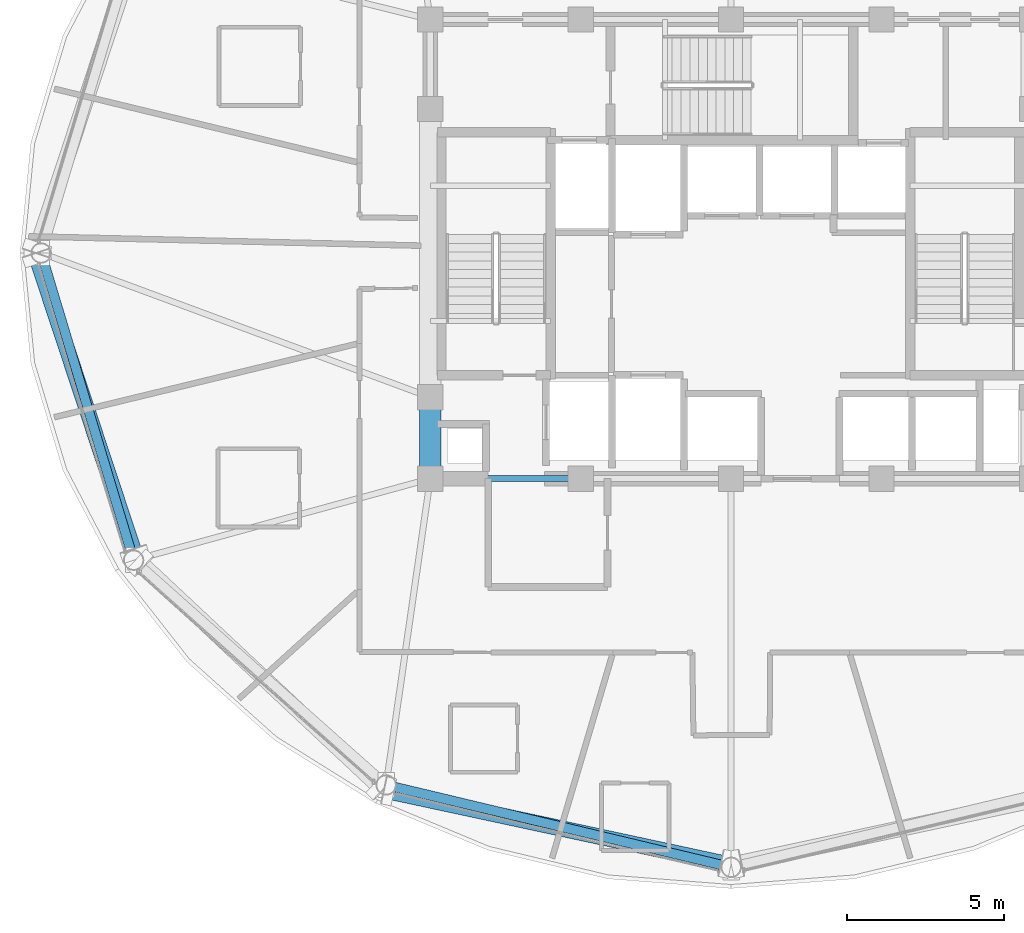
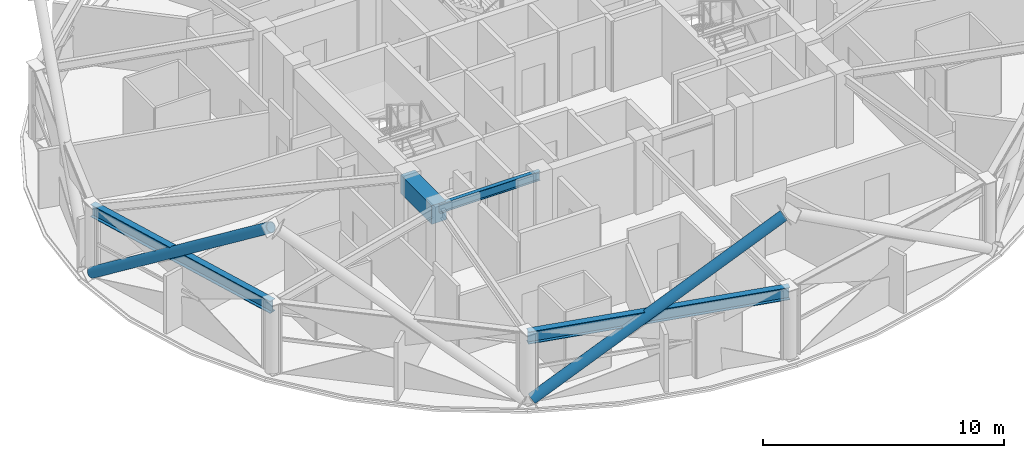
# One storey, part 4 of 29: 4 beams, 2 members.
"""IFC4 building model written with IfcOpenShell, lengths in metres."""

from ifc_helpers import new_model, si_unit, direction, frame, origin, origin_2d, place, context, subcontext, project, spatial, rectangle, hollow_circle, i_section, extrude, material, material_profile, profile_set, type_object, element, save


model = new_model("IFC4")

# Units and contexts
model_context = context("Model", 3, precision=1e-05, world=origin(), true_north=direction((0.0, 1.0)))
body_context = subcontext(model_context, "Body", "Model", "MODEL_VIEW")
ifc_project = project(units=[si_unit("LENGTHUNIT", "METRE"), si_unit("AREAUNIT", "SQUARE_METRE"), si_unit("VOLUMEUNIT", "CUBIC_METRE"), si_unit("PLANEANGLEUNIT", "RADIAN"), si_unit("MASSUNIT", "GRAM", prefix="KILO")], contexts=[model_context])

# Site, building, storey
site_placement = place(None, origin())
site = spatial("IfcSite", under=ifc_project, at=site_placement, CompositionType="ELEMENT")
building_placement = place(site_placement, origin())
building = spatial("IfcBuilding", under=site, at=building_placement, Name="Vantalir Tower", CompositionType="ELEMENT")
storey_placement = place(building_placement, frame((0.0, 0.0, 227.39990234375)))
storey = spatial("IfcBuildingStorey", under=building, at=storey_placement, Name="L57", CompositionType="ELEMENT", Elevation=227.39990234375)

# Beams
ifc_material_1 = material(Name="Concrete C60/75", Category="concrete")
ifc_material_profile_1 = material_profile(ifc_material_1, rectangle(XDim=0.699951171875, YDim=0.949951171875, at=origin_2d()), Name="Concrete C60/75")
ifc_profile_set_1 = profile_set([ifc_material_profile_1], Name="Concrete C60/75")
beam_type_1 = type_object("IfcBeamType", Name="BM-CB-700x950", PredefinedType="USERDEFINED", material=ifc_profile_set_1)
beam_1_placement = place(storey_placement, frame((21.89990234375, 20.39990234375, 3.09521484375), z_axis=(0.0, -1.0, 0.0), x_axis=(1.0, 0.0, 0.0)))
element("IfcBeam", 1, at=beam_1_placement, inside=storey, type_object=beam_type_1, Name="L57 Core Coupling Girder 14", ObjectType="GIRDER", PredefinedType="USERDEFINED", context=body_context, shape_type="SweptSolid", body=[
    extrude(rectangle(XDim=0.699951171875, YDim=0.949951171875, at=origin_2d()), origin(), (0.0, 0.0, 1.0), 2.599853515625),
])
ifc_material_2 = material(Name="Steel S355", Category="steel")
ifc_material_profile_2 = material_profile(ifc_material_2, i_section(OverallWidth=0.19189453125, OverallDepth=0.462890625, WebThickness=0.010498046875, FlangeThickness=0.017578125, at=origin_2d()), Name="Steel S355")
ifc_profile_set_2 = profile_set([ifc_material_profile_2], Name="Steel S355")
beam_type_2 = type_object("IfcBeamType", Name="BM-RB-457x191", PredefinedType="BEAM", material=ifc_profile_set_2)
beam_2_placement = place(storey_placement, frame((21.89990234375, 17.800048828125, 3.338134765625), z_axis=(1.0, 0.0, 0.0), x_axis=(0.0, 1.0, 0.0)))
element("IfcBeam", 2, at=beam_2_placement, inside=storey, type_object=beam_type_2, Name="L57 Core Coupling Girder 01", PredefinedType="BEAM", context=body_context, shape_type="SweptSolid", body=[
    extrude(i_section(OverallWidth=0.19189453125, OverallDepth=0.462890625, WebThickness=0.010498046875, FlangeThickness=0.017578125, at=origin_2d()), origin(), (0.0, 0.0, 1.0), 4.800048828125),
])
ifc_material_3 = material(Name="Steel S460", Category="steel")
ifc_material_profile_3 = material_profile(ifc_material_3, i_section(OverallWidth=0.306884765625, OverallDepth=0.6201171875, WebThickness=0.01416015625, FlangeThickness=0.023681640625, at=origin_2d()), Name="Steel S460")
ifc_profile_set_3 = profile_set([ifc_material_profile_3], Name="Steel S460")
beam_type_3 = type_object("IfcBeamType", Name="BM-RG-610x305", PredefinedType="USERDEFINED", material=ifc_profile_set_3)
beam_3_placement = place(storey_placement, frame((9.487060546875, 25.0, 3.260009765625), z_axis=(0.288203662464, -0.957569135333, 0.0), x_axis=(0.957569135333, 0.288203662464, 0.0)))
element("IfcBeam", 3, at=beam_3_placement, inside=storey, type_object=beam_type_3, Name="L57 Circumferential Ring Girder 07", ObjectType="GIRDER", PredefinedType="USERDEFINED", context=body_context, shape_type="SweptSolid", body=[
    extrude(i_section(OverallWidth=0.306884765625, OverallDepth=0.6201171875, WebThickness=0.01416015625, FlangeThickness=0.023681640625, at=origin_2d()), origin(), (0.0, 0.0, 1.0), 10.232177734375),
])
beam_4_placement = place(storey_placement, frame((20.492919921875, 8.029052734375, 3.260009765625), z_axis=(0.972721190818, -0.231977337112, 0.0), x_axis=(0.231977337112, 0.972721190818, 0.0)))
element("IfcBeam", 4, at=beam_4_placement, inside=storey, type_object=beam_type_3, Name="L57 Circumferential Ring Girder 09", ObjectType="GIRDER", PredefinedType="USERDEFINED", context=body_context, shape_type="SweptSolid", body=[
    extrude(i_section(OverallWidth=0.306884765625, OverallDepth=0.6201171875, WebThickness=0.01416015625, FlangeThickness=0.023681640625, at=origin_2d()), origin(), (0.0, 0.0, 1.0), 11.315673828125),
])

# Members
ifc_material_profile_4 = material_profile(ifc_material_3, hollow_circle(Radius=0.25, WallThickness=0.031982421875, at=origin_2d()), Name="Steel S460")
ifc_profile_set_4 = profile_set([ifc_material_profile_4], Name="Steel S460")
member_type = type_object("IfcMemberType", Name="MEM-DB-500x32", PredefinedType="BRACE", material=ifc_profile_set_4)
member_1_placement = place(storey_placement, frame((9.35400390625, 24.8291015625, 0.2060546875), z_axis=(0.257730411654, -0.779168528846, 0.571376792113), x_axis=(0.949409109171, 0.314041945325, 0.0)))
element("IfcMember", 5, at=member_1_placement, inside=storey, type_object=member_type, Name="L57 Perimeter S460 Diagrid Brace R19L", PredefinedType="BRACE", context=body_context, shape_type="SweptSolid", body=[
    extrude(hollow_circle(Radius=0.25, WallThickness=0.031982421875, at=origin_2d()), origin(), (0.0, 0.0, 1.0), 12.090087890625),
])
member_2_placement = place(storey_placement, frame((20.580078125, 7.825927734375, 0.197021484375), z_axis=(0.826956333231, -0.177883133681, 0.533386176874), x_axis=(0.210295606502, 0.977637845977, 0.0)))
element("IfcMember", 6, at=member_2_placement, inside=storey, type_object=member_type, Name="L57 Perimeter S460 Diagrid Brace R25L", PredefinedType="BRACE", context=body_context, shape_type="SweptSolid", body=[
    extrude(hollow_circle(Radius=0.25, WallThickness=0.031982421875, at=origin_2d()), origin(), (0.0, 0.0, 1.0), 12.985107421875),
])

save(model, "model.ifc")
